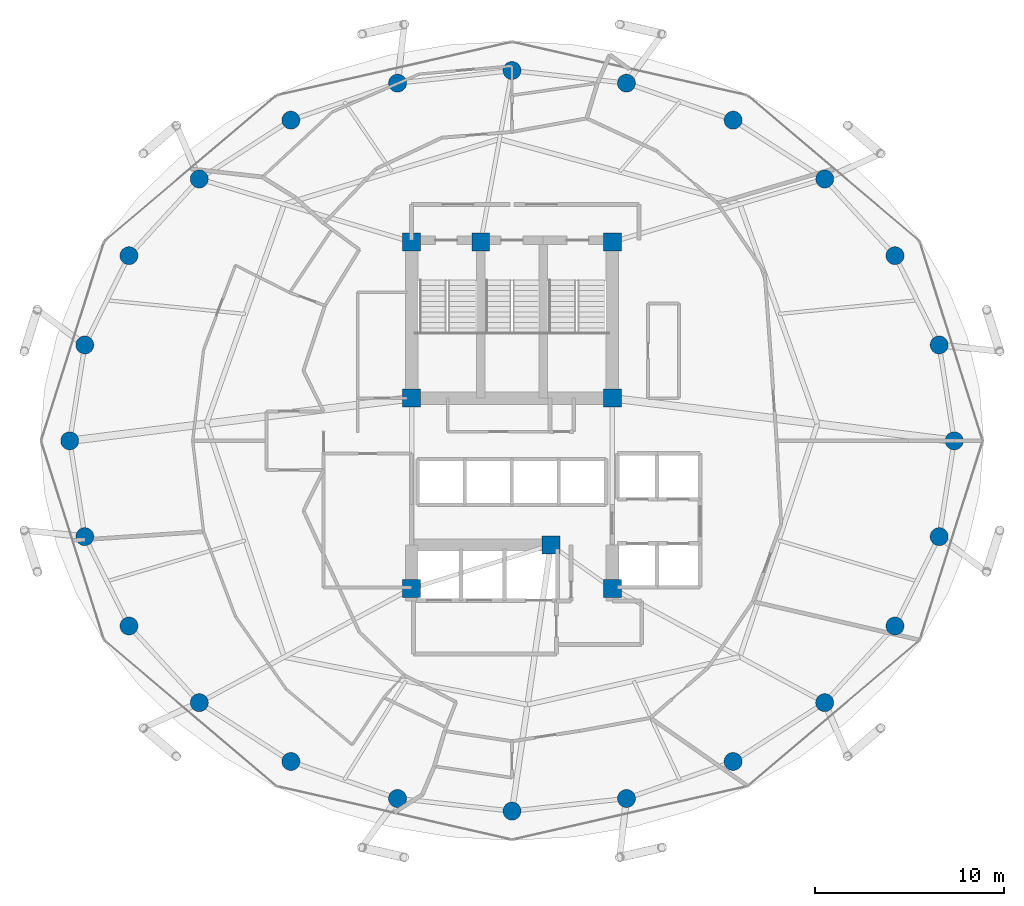
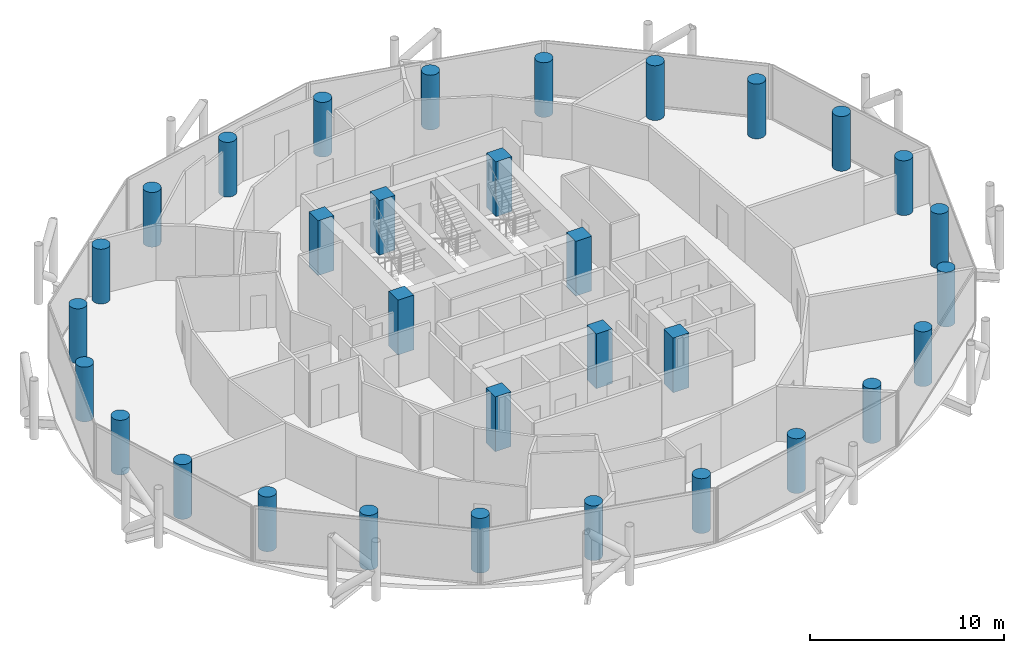
# One storey, part 1 of 26: 32 columns.
"""IFC4 building model written with IfcOpenShell, lengths in metres."""

from ifc_helpers import new_model, si_unit, direction, frame, origin, origin_2d, place, context, subcontext, project, spatial, rectangle, circle, extrude, material, material_profile, profile_set, type_object, element, save


model = new_model("IFC4")

# Units and contexts
model_context = context("Model", 3, precision=1e-05, world=origin(), true_north=direction((0.0, 1.0)))
body_context = subcontext(model_context, "Body", "Model", "MODEL_VIEW")
ifc_project = project(units=[si_unit("LENGTHUNIT", "METRE"), si_unit("AREAUNIT", "SQUARE_METRE"), si_unit("VOLUMEUNIT", "CUBIC_METRE"), si_unit("PLANEANGLEUNIT", "RADIAN"), si_unit("MASSUNIT", "GRAM", prefix="KILO")], contexts=[model_context])

# Site, building, storey
site_placement = place(None, origin())
site = spatial("IfcSite", under=ifc_project, at=site_placement, CompositionType="ELEMENT")
building_placement = place(site_placement, origin())
building = spatial("IfcBuilding", under=site, at=building_placement, Name="Nuhasar Tower", CompositionType="ELEMENT")
storey_placement = place(building_placement, frame((0.0, 0.0, 151.550048828125)))
storey = spatial("IfcBuildingStorey", under=building, at=storey_placement, Name="L36", CompositionType="ELEMENT", Elevation=151.550048828125)

# Columns
ifc_material = material(Name="Concrete C65/80", Category="concrete")
ifc_material_profile_1 = material_profile(ifc_material, circle(Radius=0.47509765625, at=origin_2d()), Name="CFT950")
ifc_profile_set_1 = profile_set([ifc_material_profile_1], Name="Concrete C65/80")
column_type_1 = type_object("IfcColumnType", Name="COL-CFT-950", PredefinedType="COLUMN", material=ifc_profile_set_1)
for number, where, z_axis, x_axis, name in (
    (1, (62.35009765625, 26.800048828125, 0.0), (0.0, 0.0, 1.0), (1.0, 0.0, 0.0), "L36 Perimeter Composite Column TC-01"),
    (2, (61.553955078125, 31.860107421875, 0.0), (0.0, 0.0, 1.0), (1.0, 0.0, 0.0), "L36 Perimeter Composite Column TC-02"),
    (3, (59.221923828125, 36.574951171875, 0.0), (0.0, 0.0, 1.0), (1.0, 0.0, 0.0), "L36 Perimeter Composite Column TC-03"),
    (4, (55.510986328125, 40.6240234375, 0.0), (0.0, 0.0, 1.0), (1.0, 0.0, 0.0), "L36 Perimeter Composite Column TC-04"),
    (5, (50.675048828125, 43.73095703125, 0.0), (0.0, 0.0, 1.0), (1.0, 0.0, 0.0), "L36 Perimeter Composite Column TC-05"),
    (6, (45.04296875, 45.68408203125, 0.0), (0.0, 0.0, 1.0), (1.0, 0.0, 0.0), "L36 Perimeter Composite Column TC-06"),
    (7, (39.0, 46.35009765625, 0.0), (0.0, 0.0, 1.0), (1.0, 0.0, 0.0), "L36 Perimeter Composite Column TC-07"),
    (8, (32.95703125, 45.68408203125, 0.0), (0.0, 0.0, 1.0), (1.0, 0.0, 0.0), "L36 Perimeter Composite Column TC-08"),
    (9, (27.324951171875, 43.73095703125, 0.0), (0.0, 0.0, 1.0), (1.0, 0.0, 0.0), "L36 Perimeter Composite Column TC-09"),
    (10, (22.489013671875, 40.6240234375, 0.0), (0.0, 0.0, 1.0), (1.0, 0.0, 0.0), "L36 Perimeter Composite Column TC-10"),
    (11, (18.778076171875, 36.574951171875, 0.0), (0.0, 0.0, 1.0), (1.0, 0.0, 0.0), "L36 Perimeter Composite Column TC-11"),
    (12, (16.446044921875, 31.860107421875, 0.0), (0.0, 0.0, 1.0), (1.0, 0.0, 0.0), "L36 Perimeter Composite Column TC-12"),
    (13, (15.64990234375, 26.800048828125, 0.0), (0.0, 0.0, 1.0), (1.0, 0.0, 0.0), "L36 Perimeter Composite Column TC-13"),
    (14, (16.446044921875, 21.739990234375, 0.0), (0.0, 0.0, 1.0), (1.0, 0.0, 0.0), "L36 Perimeter Composite Column TC-14"),
    (15, (18.778076171875, 17.02490234375, 0.0), (0.0, 0.0, 1.0), (1.0, 0.0, 0.0), "L36 Perimeter Composite Column TC-15"),
    (16, (22.489013671875, 12.97607421875, 0.0), (0.0, 0.0, 1.0), (1.0, 0.0, 0.0), "L36 Perimeter Composite Column TC-16"),
    (17, (27.324951171875, 9.868896484375, 0.0), (0.0, 0.0, 1.0), (1.0, 0.0, 0.0), "L36 Perimeter Composite Column TC-17"),
    (18, (32.95703125, 7.916015625, 0.0), (0.0, 0.0, 1.0), (1.0, 0.0, 0.0), "L36 Perimeter Composite Column TC-18"),
    (19, (39.0, 7.25, 0.0), (0.0, 0.0, 1.0), (1.0, 0.0, 0.0), "L36 Perimeter Composite Column TC-19"),
    (20, (45.04296875, 7.916015625, 0.0), (0.0, 0.0, 1.0), (1.0, 0.0, 0.0), "L36 Perimeter Composite Column TC-20"),
    (21, (50.675048828125, 9.868896484375, 0.0), (0.0, 0.0, 1.0), (1.0, 0.0, 0.0), "L36 Perimeter Composite Column TC-21"),
    (22, (55.510986328125, 12.97607421875, 0.0), (0.0, 0.0, 1.0), (1.0, 0.0, 0.0), "L36 Perimeter Composite Column TC-22"),
    (23, (59.221923828125, 17.02490234375, 0.0), (0.0, 0.0, 1.0), (1.0, 0.0, 0.0), "L36 Perimeter Composite Column TC-23"),
    (24, (61.553955078125, 21.739990234375, 0.0), (0.0, 0.0, 1.0), (1.0, 0.0, 0.0), "L36 Perimeter Composite Column TC-24"),
):
    element("IfcColumn", number, at=place(storey_placement, frame(where, z_axis=z_axis, x_axis=x_axis)), inside=storey, type_object=column_type_1, Name=name, PredefinedType="COLUMN", context=body_context, shape_type="SweptSolid", body=[
        extrude(circle(Radius=0.47509765625, at=origin_2d()), origin(), (0.0, 0.0, 1.0), 3.449951171875),
    ])
ifc_material_profile_2 = material_profile(ifc_material, rectangle(XDim=0.949951171875, YDim=0.949951171875, at=origin_2d()), Name="RC950X950")
ifc_profile_set_2 = profile_set([ifc_material_profile_2], Name="Concrete C65/80")
column_type_2 = type_object("IfcColumnType", Name="PIL-RC-950", PredefinedType="PILASTER", material=ifc_profile_set_2)
for number, where, z_axis, x_axis, name in (
    (25, (33.699951171875, 19.0, 0.0), (0.0, 0.0, 1.0), (1.0, 0.0, 0.0), "L36 Core Boundary Pilaster CC-01"),
    (26, (41.050048828125, 21.300048828125, 0.0), (0.0, 0.0, 1.0), (1.0, 0.0, 0.0), "L36 Core Boundary Pilaster CC-02"),
    (27, (44.300048828125, 19.0, 0.0), (0.0, 0.0, 1.0), (1.0, 0.0, 0.0), "L36 Core Boundary Pilaster CC-03"),
    (28, (44.300048828125, 29.050048828125, 0.0), (0.0, 0.0, 1.0), (1.0, 0.0, 0.0), "L36 Core Boundary Pilaster CC-04"),
    (29, (44.300048828125, 37.300048828125, 0.0), (0.0, 0.0, 1.0), (1.0, 0.0, 0.0), "L36 Core Boundary Pilaster CC-05"),
    (30, (37.35009765625, 37.300048828125, 0.0), (0.0, 0.0, 1.0), (1.0, 0.0, 0.0), "L36 Core Boundary Pilaster CC-06"),
    (31, (33.699951171875, 37.300048828125, 0.0), (0.0, 0.0, 1.0), (1.0, 0.0, 0.0), "L36 Core Boundary Pilaster CC-07"),
    (32, (33.699951171875, 29.050048828125, 0.0), (0.0, 0.0, 1.0), (1.0, 0.0, 0.0), "L36 Core Boundary Pilaster CC-08"),
):
    element("IfcColumn", number, at=place(storey_placement, frame(where, z_axis=z_axis, x_axis=x_axis)), inside=storey, type_object=column_type_2, Name=name, PredefinedType="PILASTER", context=body_context, shape_type="SweptSolid", body=[
        extrude(rectangle(XDim=0.949951171875, YDim=0.949951171875, at=origin_2d()), origin(), (0.0, 0.0, 1.0), 3.449951171875),
    ])

save(model, "model.ifc")
